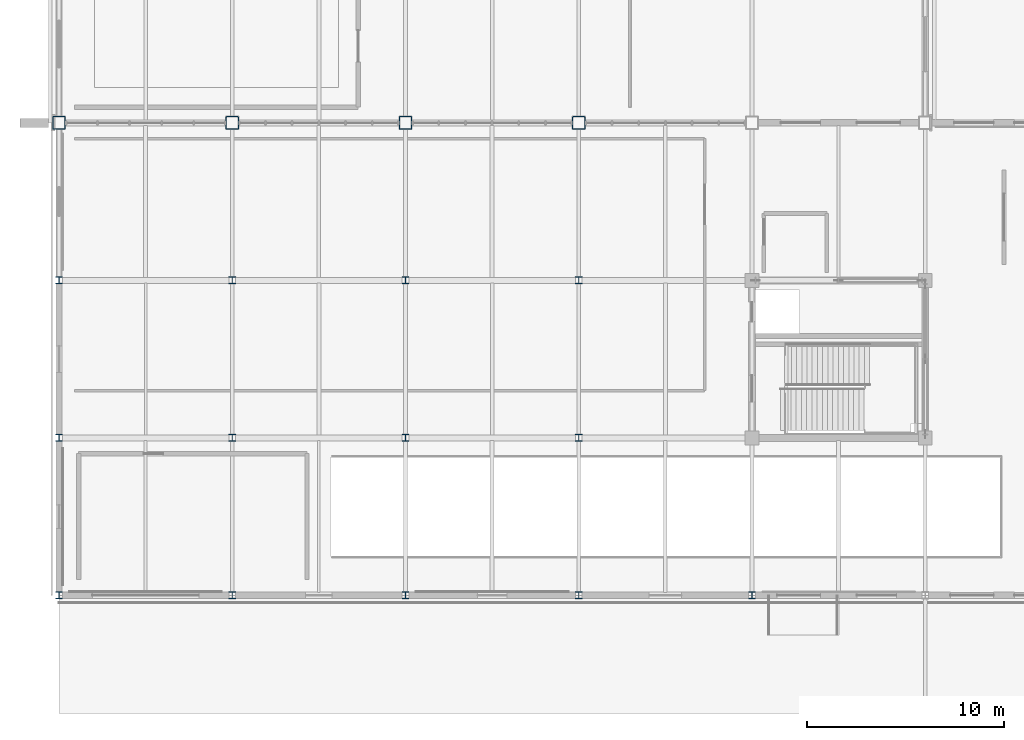
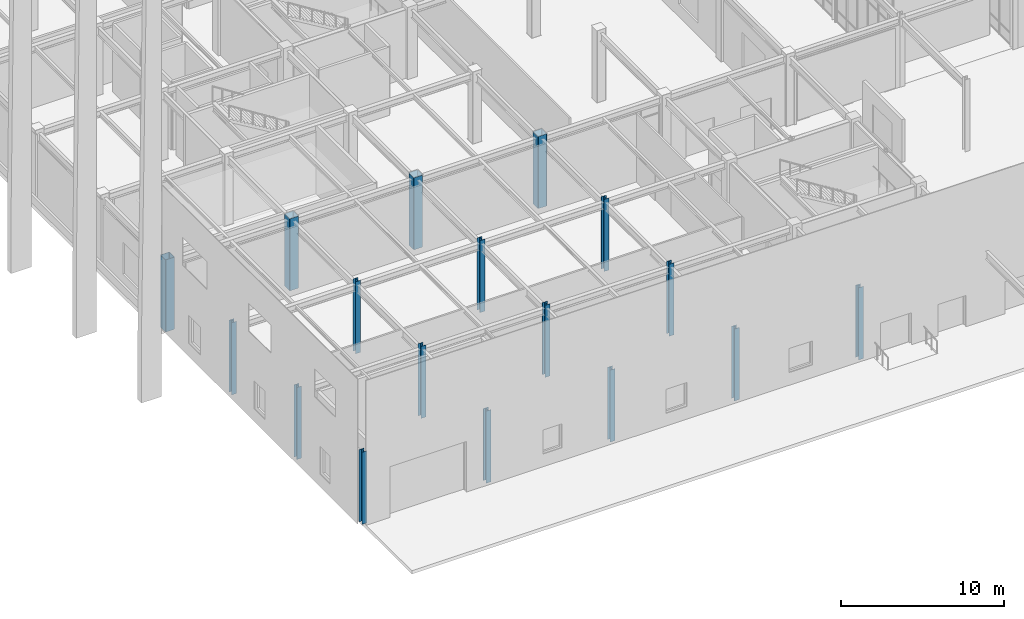
# One storey, part 1 of 119: 17 columns.
"""IFC4 building model written with IfcOpenShell, lengths in metres."""

from ifc_helpers import new_model, si_unit, direction, frame, origin, origin_2d, place, context, subcontext, project, spatial, hollow_rectangle, i_section, extrude, material, material_profile, profile_set, type_object, element, save


model = new_model("IFC4")

# Units and contexts
model_context = context("Model", 3, precision=1e-05, world=origin(), true_north=direction((0.0, 1.0)))
body_context = subcontext(model_context, "Body", "Model", "MODEL_VIEW")
ifc_project = project(units=[si_unit("LENGTHUNIT", "METRE"), si_unit("AREAUNIT", "SQUARE_METRE"), si_unit("VOLUMEUNIT", "CUBIC_METRE"), si_unit("PLANEANGLEUNIT", "RADIAN"), si_unit("MASSUNIT", "GRAM", prefix="KILO")], contexts=[model_context])

# Site, building, storey
site_placement = place(None, origin())
site = spatial("IfcSite", under=ifc_project, at=site_placement, CompositionType="ELEMENT")
building_placement = place(site_placement, origin())
building = spatial("IfcBuilding", under=site, at=building_placement, Name="Zhaolan Boulevard Law Courts", CompositionType="ELEMENT")
storey_placement = place(building_placement, origin())
storey = spatial("IfcBuildingStorey", under=building, at=storey_placement, Name="L00", CompositionType="ELEMENT", Elevation=0.0)

# Columns
ifc_material_1 = material(Name="Structural steel Q390B", Category="steel")
ifc_material_profile_1 = material_profile(ifc_material_1, hollow_rectangle(XDim=0.64990234375, YDim=0.64990234375, WallThickness=0.02587890625, InnerFilletRadius=0.02587890625, OuterFilletRadius=0.052001953125, at=origin_2d()), Name="BOX650x650x26")
ifc_profile_set_1 = profile_set([ifc_material_profile_1], Name="Structural steel Q390B")
column_type_1 = type_object("IfcColumnType", Name="COL BOX650", PredefinedType="COLUMN", material=ifc_profile_set_1)
for number, where, z_axis, x_axis, name in (
    (1, (0.0, 30.0, 0.0), (0.0, 0.0, 1.0), (1.0, 0.0, 0.0), "Column C-1E (L00)"),
    (2, (8.800048828125, 30.0, 0.0), (0.0, 0.0, 1.0), (1.0, 0.0, 0.0), "Column C-2E (L00)"),
    (3, (17.60009765625, 30.0, 0.0), (0.0, 0.0, 1.0), (1.0, 0.0, 0.0), "Column C-3E (L00)"),
    (4, (26.39990234375, 30.0, 0.0), (0.0, 0.0, 1.0), (1.0, 0.0, 0.0), "Column C-4E (L00)"),
):
    element("IfcColumn", number, at=place(storey_placement, frame(where, z_axis=z_axis, x_axis=x_axis)), inside=storey, type_object=column_type_1, Name=name, PredefinedType="COLUMN", context=body_context, shape_type="SweptSolid", body=[
        extrude(hollow_rectangle(XDim=0.64990234375, YDim=0.64990234375, WallThickness=0.02587890625, InnerFilletRadius=0.02587890625, OuterFilletRadius=0.052001953125, at=origin_2d()), origin(), (0.0, 0.0, 1.0), 5.39990234375),
    ])
ifc_material_2 = material(Name="Structural steel Q355B", Category="steel")
ifc_material_profile_2 = material_profile(ifc_material_2, i_section(OverallWidth=0.35009765625, OverallDepth=0.35009765625, WebThickness=0.011962890625, FlangeThickness=0.01904296875, FilletRadius=0.02001953125, at=origin_2d()), Name="HW350x350")
ifc_profile_set_2 = profile_set([ifc_material_profile_2], Name="Structural steel Q355B")
column_type_2 = type_object("IfcColumnType", Name="COL HW350", PredefinedType="COLUMN", material=ifc_profile_set_2)
for number, where, z_axis, x_axis, name in (
    (5, (0.0, 6.0, 0.0), (0.0, 0.0, 1.0), (1.0, 0.0, 0.0), "Column C-1B (L00)"),
    (6, (0.0, 14.0, 0.0), (0.0, 0.0, 1.0), (1.0, 0.0, 0.0), "Column C-1C (L00)"),
    (7, (0.0, 22.0, 0.0), (0.0, 0.0, 1.0), (1.0, 0.0, 0.0), "Column C-1D (L00)"),
    (8, (8.800048828125, 6.0, 0.0), (0.0, 0.0, 1.0), (1.0, 0.0, 0.0), "Column C-2B (L00)"),
    (9, (8.800048828125, 14.0, 0.0), (0.0, 0.0, 1.0), (1.0, 0.0, 0.0), "Column C-2C (L00)"),
    (10, (8.800048828125, 22.0, 0.0), (0.0, 0.0, 1.0), (1.0, 0.0, 0.0), "Column C-2D (L00)"),
    (11, (17.60009765625, 6.0, 0.0), (0.0, 0.0, 1.0), (1.0, 0.0, 0.0), "Column C-3B (L00)"),
    (12, (17.60009765625, 14.0, 0.0), (0.0, 0.0, 1.0), (1.0, 0.0, 0.0), "Column C-3C (L00)"),
    (13, (17.60009765625, 22.0, 0.0), (0.0, 0.0, 1.0), (1.0, 0.0, 0.0), "Column C-3D (L00)"),
    (14, (26.39990234375, 6.0, 0.0), (0.0, 0.0, 1.0), (1.0, 0.0, 0.0), "Column C-4B (L00)"),
    (15, (26.39990234375, 14.0, 0.0), (0.0, 0.0, 1.0), (1.0, 0.0, 0.0), "Column C-4C (L00)"),
    (16, (26.39990234375, 22.0, 0.0), (0.0, 0.0, 1.0), (1.0, 0.0, 0.0), "Column C-4D (L00)"),
    (17, (35.199951171875, 6.0, 0.0), (0.0, 0.0, 1.0), (1.0, 0.0, 0.0), "Column C-5B (L00)"),
):
    element("IfcColumn", number, at=place(storey_placement, frame(where, z_axis=z_axis, x_axis=x_axis)), inside=storey, type_object=column_type_2, Name=name, PredefinedType="COLUMN", context=body_context, shape_type="SweptSolid", body=[
        extrude(i_section(OverallWidth=0.35009765625, OverallDepth=0.35009765625, WebThickness=0.011962890625, FlangeThickness=0.01904296875, FilletRadius=0.02001953125, at=origin_2d()), origin(), (0.0, 0.0, 1.0), 5.39990234375),
    ])

save(model, "model.ifc")
